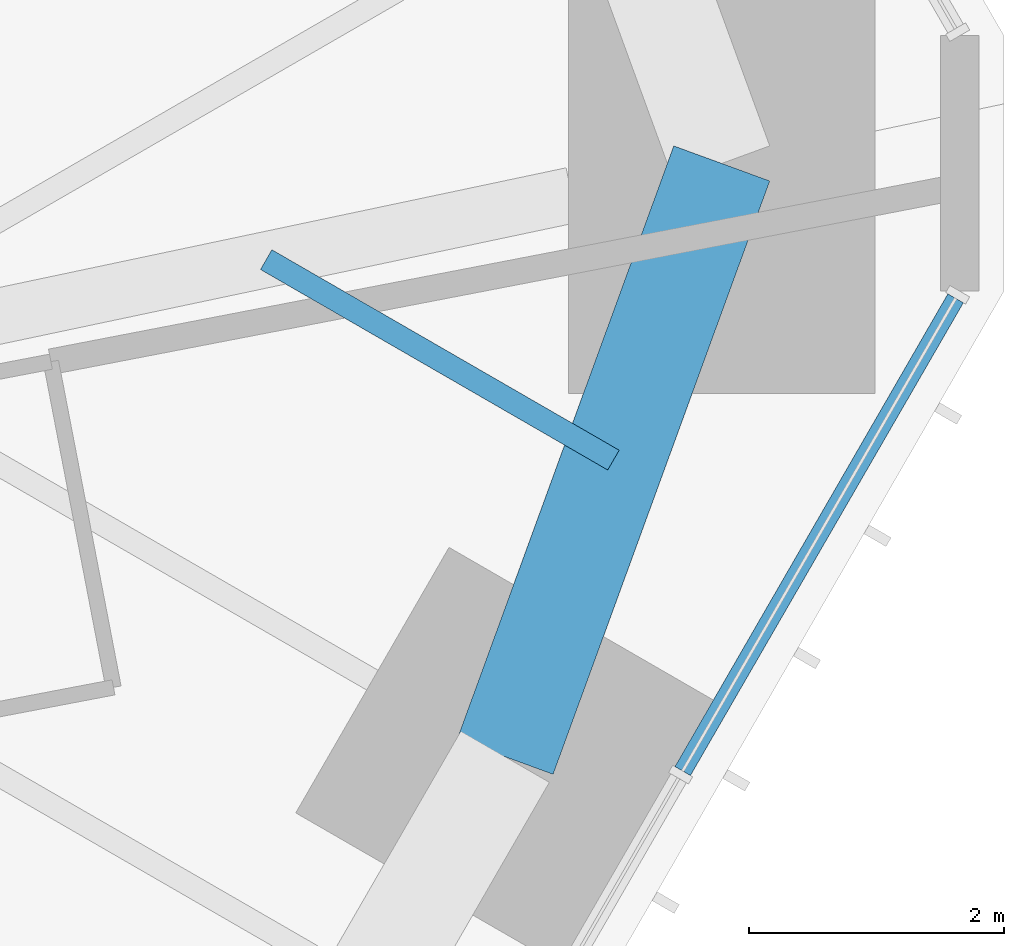
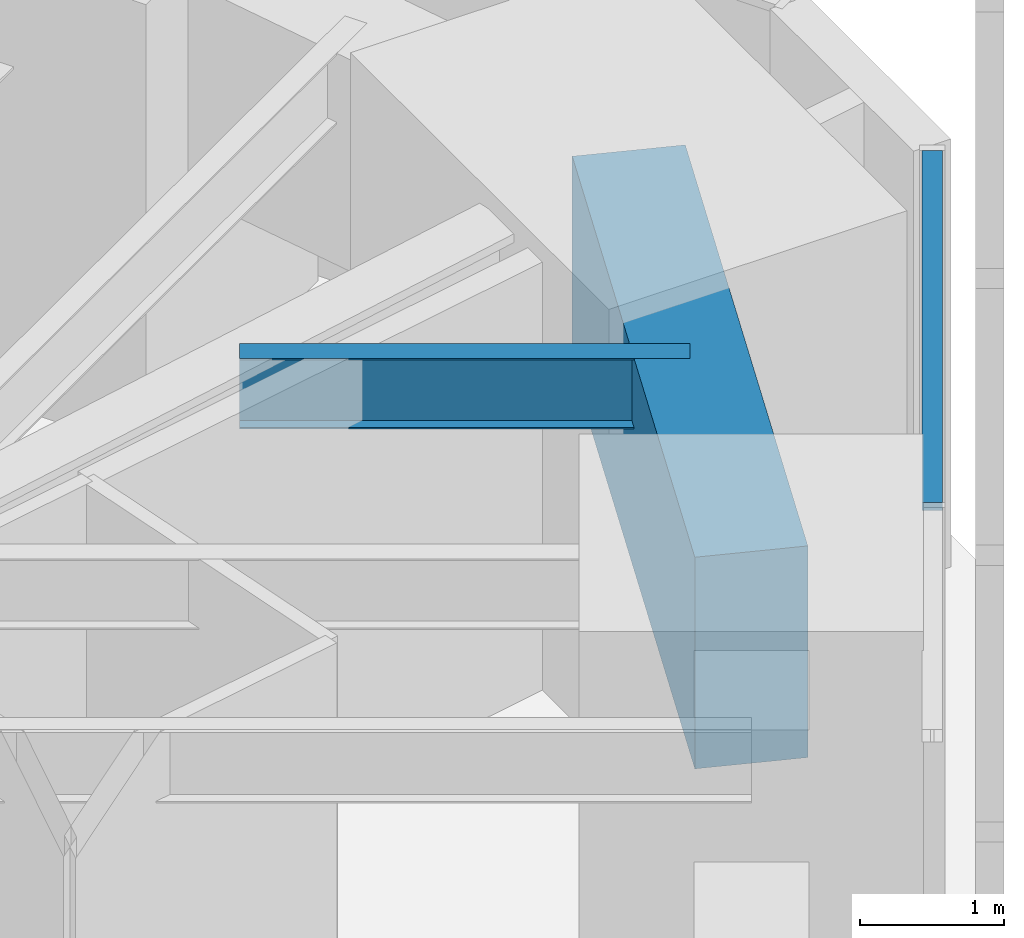
# One storey, part 194 of 256: 2 beams, 1 member, 1 element without a shape of its own.
"""IFC4 building model written with IfcOpenShell, lengths in metres."""

from ifc_helpers import new_model, si_unit, direction, frame, origin, origin_2d, place, context, subcontext, project, spatial, rectangle, i_section, extrude, material, material_profile, profile_set, type_object, element, aggregate, save


model = new_model("IFC4")

# Units and contexts
model_context = context("Model", 3, precision=1e-05, world=origin(), true_north=direction((0.0, 1.0)))
body_context = subcontext(model_context, "Body", "Model", "MODEL_VIEW")
ifc_project = project(units=[si_unit("LENGTHUNIT", "METRE"), si_unit("AREAUNIT", "SQUARE_METRE"), si_unit("VOLUMEUNIT", "CUBIC_METRE"), si_unit("PLANEANGLEUNIT", "RADIAN"), si_unit("MASSUNIT", "GRAM", prefix="KILO")], contexts=[model_context])

# Site, building, storey
site_placement = place(None, origin())
site = spatial("IfcSite", under=ifc_project, at=site_placement, CompositionType="ELEMENT")
building_placement = place(site_placement, origin())
building = spatial("IfcBuilding", under=site, at=building_placement, Name="Sandreach Pilgrim Tower", CompositionType="ELEMENT")
storey_placement = place(building_placement, frame((0.0, 0.0, 23.0)))
storey = spatial("IfcBuildingStorey", under=building, at=storey_placement, Name="L04", CompositionType="ELEMENT", Elevation=23.0)

# Curtain wall, member
ifc_material_1 = material(Name="Aluminium framed curtain wall", Category="aluminium")
curtain_wall_type = type_object("IfcCurtainWallType", Name="Hostel tower curtain wall", PredefinedType="NOTDEFINED", material=ifc_material_1)
curtain_wall_placement = place(storey_placement, origin())
curtain_wall = element("IfcCurtainWall", 1, at=curtain_wall_placement, inside=storey, type_object=curtain_wall_type, Name="CW-1 L04 SE", PredefinedType="NOTDEFINED")
ifc_material_2 = material(Name="Aluminium extrusion", Category="aluminium")
ifc_material_profile_1 = material_profile(ifc_material_2, rectangle(XDim=0.139892578125, YDim=0.070068359375, at=origin_2d()), Name="CW-1T 140X70")
ifc_profile_set_1 = profile_set([ifc_material_profile_1], Name="Aluminium extrusion")
member_type = type_object("IfcMemberType", Name="CW-1 transom", PredefinedType="USERDEFINED", material=ifc_profile_set_1)
member_placement = place(storey_placement, frame((30.543701171875, 5.005859375, 3.60498046875), z_axis=(-0.499991113271, -0.866030534479, 0.0), x_axis=(0.866030534479, -0.499991113271, 0.0)))
member = element("IfcMember", 2, at=member_placement, type_object=member_type, Name="CW-1 head transom 1", ObjectType="TRANSOM", PredefinedType="USERDEFINED", context=body_context, shape_type="SweptSolid", body=[
    extrude(rectangle(XDim=0.139892578125, YDim=0.070068359375, at=origin_2d()), origin(), (0.0, 0.0, 1.0), 4.27392578125),
])
aggregate(curtain_wall, [member])

# Beams
ifc_material_3 = material(Name="Steel ASTM A992 Grade 50", Category="steel")
ifc_material_profile_2 = material_profile(ifc_material_3, i_section(OverallWidth=0.1787109375, OverallDepth=0.60205078125, WebThickness=0.010986328125, FlangeThickness=0.014892578125, at=origin_2d()), Name="W24X62")
ifc_profile_set_2 = profile_set([ifc_material_profile_2], Name="Steel ASTM A992 Grade 50")
beam_type_1 = type_object("IfcBeamType", Name="Floor beam W24X62", PredefinedType="BEAM", material=ifc_profile_set_2)
beam_1_placement = place(storey_placement, frame((27.864501953125, 3.7392578125, 3.339111328125), z_axis=(-0.866023718453, 0.500002919068, 0.0), x_axis=(-0.500002919068, -0.866023718453, 0.0)))
element("IfcBeam", 3, at=beam_1_placement, inside=storey, type_object=beam_type_1, Name="BM L04 FM13", PredefinedType="BEAM", context=body_context, shape_type="SweptSolid", body=[
    extrude(i_section(OverallWidth=0.1787109375, OverallDepth=0.60205078125, WebThickness=0.010986328125, FlangeThickness=0.014892578125, at=origin_2d()), origin(), (0.0, 0.0, 1.0), 3.1396484375),
])
ifc_material_4 = material(Name="Concrete 10000 psi", Category="concrete")
ifc_material_profile_3 = material_profile(ifc_material_4, rectangle(XDim=0.800048828125, YDim=1.800048828125, at=origin_2d()), Name="RC800X1800")
ifc_profile_set_3 = profile_set([ifc_material_profile_3], Name="Concrete 10000 psi")
beam_type_2 = type_object("IfcBeamType", Name="Spandrel beam RC800X1800", PredefinedType="SPANDREL", material=ifc_profile_set_3)
beam_2_placement = place(storey_placement, frame((28.712646484375, 6.062255859375, 2.739990234375), z_axis=(-0.342963480301, -0.939348737786, 0.0), x_axis=(0.939348737786, -0.342963480301, 0.0)))
element("IfcBeam", 4, at=beam_2_placement, inside=storey, type_object=beam_type_2, Name="BM L04 SP13", PredefinedType="SPANDREL", context=body_context, shape_type="SweptSolid", body=[
    extrude(rectangle(XDim=0.800048828125, YDim=1.800048828125, at=origin_2d()), origin(), (0.0, 0.0, 1.0), 4.946044921875),
])

save(model, "model.ifc")
